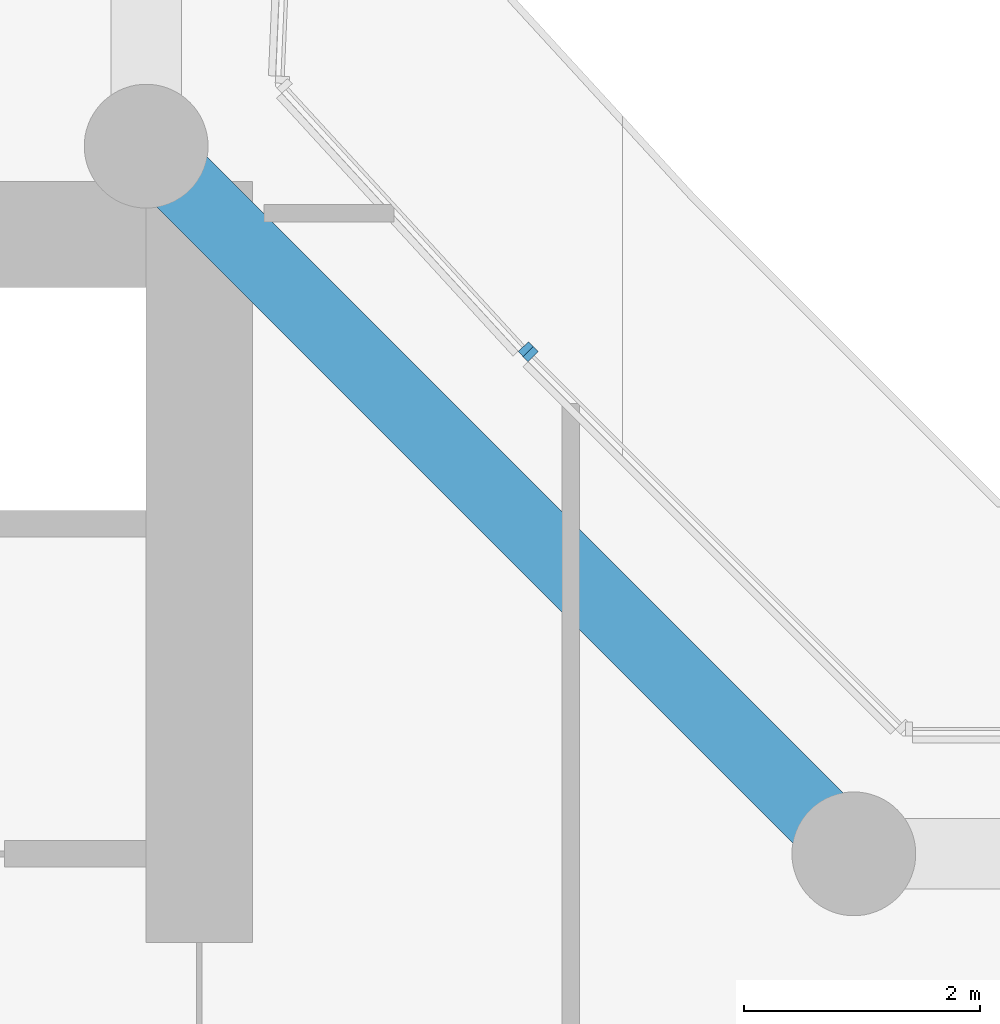
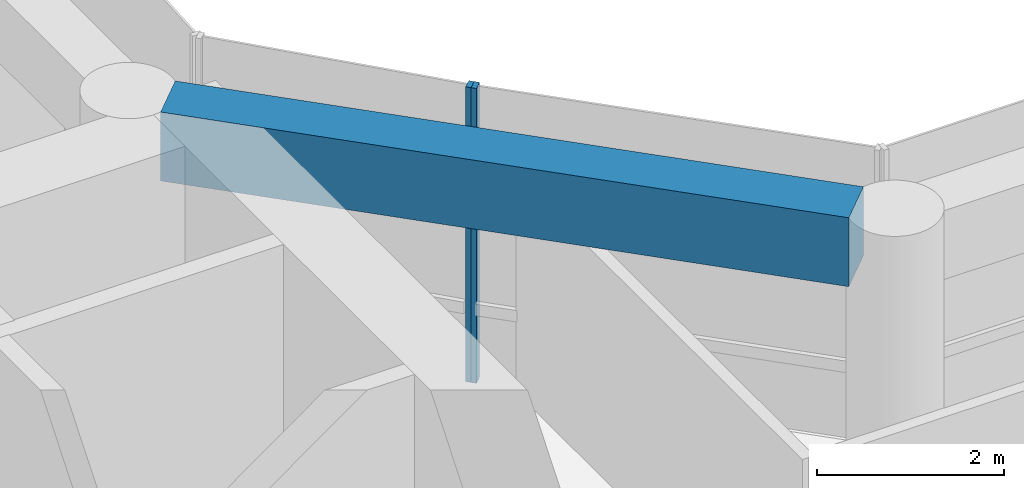
# One storey, part 5 of 29: 2 members, 1 beam, 2 elements without a shape of their own.
"""IFC4 building model written with IfcOpenShell, lengths in metres."""

from ifc_helpers import new_model, si_unit, direction, frame, origin, origin_2d, place, context, subcontext, project, spatial, rectangle, extrude, material, layer, layer_set, material_profile, profile_set, type_object, element, aggregate, save


model = new_model("IFC4")

# Units and contexts
model_context = context("Model", 3, precision=1e-05, world=origin(), true_north=direction((0.0, 1.0)))
body_context = subcontext(model_context, "Body", "Model", "MODEL_VIEW")
ifc_project = project(units=[si_unit("LENGTHUNIT", "METRE"), si_unit("AREAUNIT", "SQUARE_METRE"), si_unit("VOLUMEUNIT", "CUBIC_METRE"), si_unit("PLANEANGLEUNIT", "RADIAN"), si_unit("MASSUNIT", "GRAM", prefix="KILO")], contexts=[model_context])

# Site, building, storey
site_placement = place(None, origin())
site = spatial("IfcSite", under=ifc_project, at=site_placement, CompositionType="ELEMENT")
building_placement = place(site_placement, origin())
building = spatial("IfcBuilding", under=site, at=building_placement, Name="Welwitschia Terrace Campus", CompositionType="ELEMENT")
storey_placement = place(building_placement, frame((0.0, 0.0, 41.60009765625)))
storey = spatial("IfcBuildingStorey", under=building, at=storey_placement, Name="L09", CompositionType="ELEMENT", Elevation=41.60009765625)

# Curtain wall, member
ifc_material_1 = material(Name="Bronze anodised aluminium", Category="aluminium")
ifc_layer = layer(ifc_material_1, 0.1201171875)
ifc_layer_set = layer_set([ifc_layer], Name="Bronze anodised aluminium")
curtain_wall_type = type_object("IfcCurtainWallType", Name="Curtain wall CW2 tower 6000", PredefinedType="NOTDEFINED", material=ifc_layer_set)
curtain_wall_1_placement = place(storey_placement, origin())
curtain_wall_1 = element("IfcCurtainWall", 1, at=curtain_wall_1_placement, inside=storey, type_object=curtain_wall_type, Name="CW L09.9.0", PredefinedType="NOTDEFINED")
ifc_material_2 = material(Name="Bronze anodised aluminium", Category="aluminium")
ifc_material_profile_1 = material_profile(ifc_material_2, rectangle(XDim=0.1201171875, YDim=0.06005859375, at=origin_2d()))
ifc_profile_set_1 = profile_set([ifc_material_profile_1], Name="Bronze anodised aluminium")
member_type = type_object("IfcMemberType", Name="Mullion 60x120", PredefinedType="MULLION", material=ifc_profile_set_1)
member_1_placement = place(storey_placement, frame((27.260498046875, 24.23583984375, 0.0), z_axis=(0.0, 0.0, 1.0), x_axis=(-0.707106781187, -0.707106781187, 0.0)))
member_1 = element("IfcMember", 2, at=member_1_placement, type_object=member_type, Name="Mullion L09.9.0.1", PredefinedType="MULLION", context=body_context, shape_type="SweptSolid", body=[
    extrude(rectangle(XDim=0.1201171875, YDim=0.06005859375, at=origin_2d()), origin(), (0.0, 0.0, 1.0), 3.849853515625),
])
aggregate(curtain_wall_1, [member_1])

curtain_wall_2_placement = place(storey_placement, origin())
curtain_wall_2 = element("IfcCurtainWall", 3, at=curtain_wall_2_placement, inside=storey, type_object=curtain_wall_type, Name="CW L09.10.0", PredefinedType="NOTDEFINED")
member_2_placement = place(storey_placement, frame((27.218994140625, 24.279052734375, 0.0), z_axis=(0.0, 0.0, 1.0), x_axis=(-0.73727733681, -0.675590207616, 0.0)))
member_2 = element("IfcMember", 4, at=member_2_placement, type_object=member_type, Name="Mullion L09.10.0.0", PredefinedType="MULLION", context=body_context, shape_type="SweptSolid", body=[
    extrude(rectangle(XDim=0.1201171875, YDim=0.06005859375, at=origin_2d()), origin(), (0.0, 0.0, 1.0), 3.849853515625),
])
aggregate(curtain_wall_2, [member_2])

# Beam
ifc_material_3 = material(Name="Concrete C60/75", Category="concrete")
ifc_material_profile_2 = material_profile(ifc_material_3, rectangle(XDim=0.60009765625, YDim=0.89990234375, at=origin_2d()))
ifc_profile_set_2 = profile_set([ifc_material_profile_2], Name="Concrete C60/75")
beam_type = type_object("IfcBeamType", Name="Ring spandrel 600x900", PredefinedType="SPANDREL", material=ifc_profile_set_2)
beam_placement = place(storey_placement, frame((29.69482421875, 20.30517578125, 3.39990234375), z_axis=(-0.707106781187, 0.707106781187, 0.0), x_axis=(-0.707106781187, -0.707106781187, 0.0)))
element("IfcBeam", 5, at=beam_placement, inside=storey, type_object=beam_type, Name="Spandrel SP2", PredefinedType="SPANDREL", context=body_context, shape_type="SweptSolid", body=[
    extrude(rectangle(XDim=0.60009765625, YDim=0.89990234375, at=origin_2d()), origin(), (0.0, 0.0, 1.0), 7.6220703125),
])

save(model, "model.ifc")
